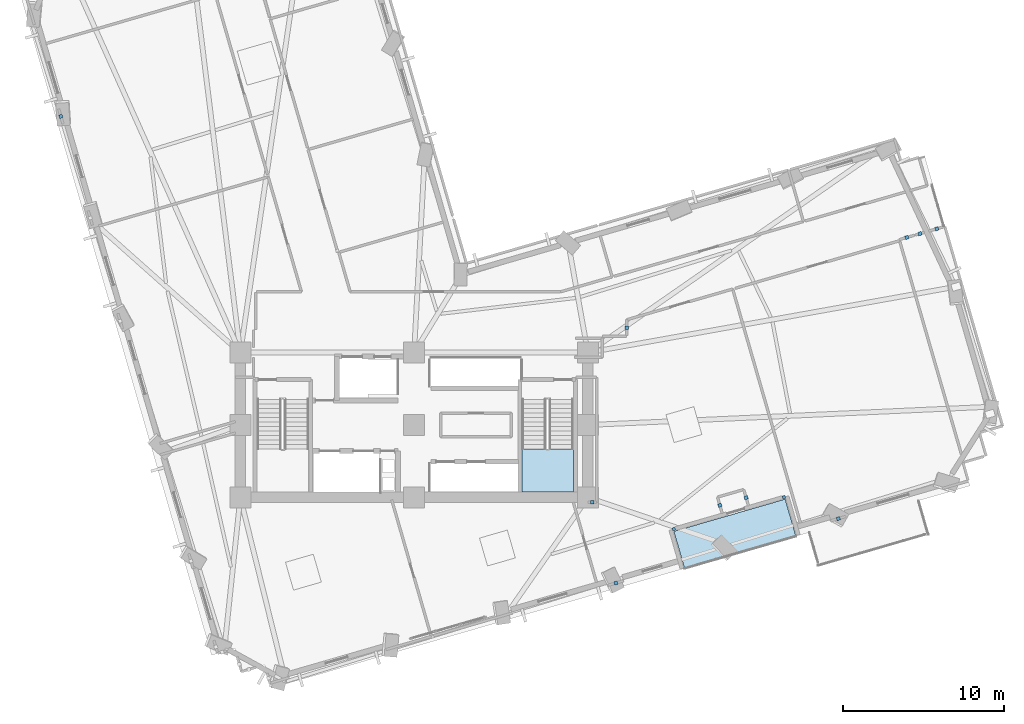
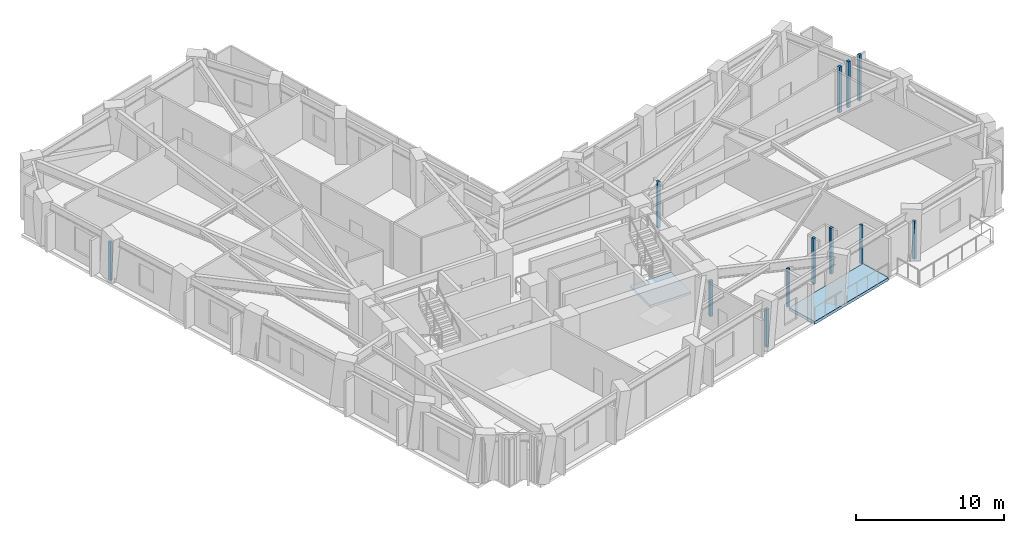
# One storey, part 6 of 15: 12 plates, 2 slabs, 1 element without a shape of its own.
"""IFC4 building model written with IfcOpenShell, lengths in metres."""

from ifc_helpers import new_model, si_unit, direction, frame, origin, origin_2d, place, context, subcontext, project, spatial, polyline, rectangle, outline, extrude, material, layer, layer_set, type_object, element, aggregate, save


model = new_model("IFC4")

# Units and contexts
model_context = context("Model", 3, precision=1e-05, world=origin(), true_north=direction((0.0, 1.0)))
body_context = subcontext(model_context, "Body", "Model", "MODEL_VIEW")
ifc_project = project(units=[si_unit("LENGTHUNIT", "METRE"), si_unit("AREAUNIT", "SQUARE_METRE"), si_unit("VOLUMEUNIT", "CUBIC_METRE"), si_unit("PLANEANGLEUNIT", "RADIAN"), si_unit("MASSUNIT", "GRAM", prefix="KILO")], contexts=[model_context])

# Site, building, storey
site_placement = place(None, origin())
site = spatial("IfcSite", under=ifc_project, at=site_placement, CompositionType="ELEMENT")
building_placement = place(site_placement, origin())
building = spatial("IfcBuilding", under=site, at=building_placement, Name="Gaonmaruhae Medical Tower", CompositionType="ELEMENT")
storey_placement = place(building_placement, frame((0.0, 0.0, 92.39990234375)))
storey = spatial("IfcBuildingStorey", under=building, at=storey_placement, Name="L21", CompositionType="ELEMENT", Elevation=92.39990234375)

# Plates
ifc_material_1 = material(Name="Anodised aluminium 6063-T6", Category="aluminium")
ifc_layer_1 = layer(ifc_material_1, 0.011962890625)
ifc_layer_set_1 = layer_set([ifc_layer_1], Name="Anodised aluminium 6063-T6")
plate_type = type_object("IfcPlateType", Name="PP-01 Interior Partition Corner Stiffener Plate", PredefinedType="SHEET", material=ifc_layer_set_1)
for number, where, z_axis, x_axis, name in (
    (1, (47.785888671875, 7.815673828125, 0.0), (0.0, 0.0, 1.0), (-0.960531930831, -0.278169750071, 0.0), "L21 Partition End Jamb Post Plate PLT-L21-ENDP-TERB-0"),
    (2, (40.947021484375, 5.835205078125, 0.0), (0.0, 0.0, 1.0), (-0.960531930831, -0.278169750071, 0.0), "L21 Partition End Jamb Post Plate PLT-L21-ENDP-TERB-1"),
):
    element("IfcPlate", number, at=place(storey_placement, frame(where, z_axis=z_axis, x_axis=x_axis)), inside=storey, type_object=plate_type, Name=name, PredefinedType="SHEET", context=body_context, shape_type="SweptSolid", body=[
        extrude(rectangle(XDim=0.179931640625, YDim=0.179931640625, at=origin_2d()), origin(), (0.0, 0.0, 1.0), 3.1650390625),
    ])
plate_1_placement = place(storey_placement, frame((37.341064453125, 2.47998046875, 0.0), z_axis=(0.0, 0.0, 1.0), x_axis=(-0.960449353926, -0.278454733383, 0.0)))
element("IfcPlate", 3, at=plate_1_placement, inside=storey, type_object=plate_type, Name="L21 Partition Corner Stiffener Plate PLT-L21-JGP-PW017", PredefinedType="SHEET", context=body_context, shape_type="SweptSolid", body=[
    extrude(rectangle(XDim=0.219970703125, YDim=0.219970703125, at=origin_2d()), origin(), (0.0, 0.0, 1.0), 3.14501953125),
])
plate_2_placement = place(storey_placement, frame((35.875, 7.5, 0.0), z_axis=(0.0, 0.0, 1.0), x_axis=(1.0, 0.0, 0.0)))
element("IfcPlate", 4, at=plate_2_placement, inside=storey, type_object=plate_type, Name="L21 Partition Corner Stiffener Plate PLT-L21-JGP-PW018", PredefinedType="SHEET", context=body_context, shape_type="SweptSolid", body=[
    extrude(rectangle(XDim=0.219970703125, YDim=0.219970703125, at=origin_2d()), origin(), (0.0, 0.0, 1.0), 2.945068359375),
])
for number, where, z_axis, x_axis, name in (
    (5, (38.030029296875, 18.348388671875, 0.0), (0.0, 0.0, 1.0), (0.0, 1.0, 0.0), "L21 Partition Corner Stiffener Plate PLT-L21-JGP-PW025"),
    (6, (45.43701171875, 7.783447265625, 0.0), (0.0, 0.0, 1.0), (-0.278722930579, 0.960371557247, 0.0), "L21 Partition Corner Stiffener Plate PLT-L21-JGP-PW028"),
    (7, (43.803955078125, 7.310546875, 0.0), (0.0, 0.0, 1.0), (0.278722930579, -0.960371557247, 0.0), "L21 Partition Corner Stiffener Plate PLT-L21-JGP-PW030"),
):
    element("IfcPlate", number, at=place(storey_placement, frame(where, z_axis=z_axis, x_axis=x_axis)), inside=storey, type_object=plate_type, Name=name, PredefinedType="SHEET", context=body_context, shape_type="SweptSolid", body=[
        extrude(rectangle(XDim=0.219970703125, YDim=0.219970703125, at=origin_2d()), origin(), (0.0, 0.0, 1.0), 3.780029296875),
    ])
plate_3_placement = place(storey_placement, frame((51.17138671875, 6.484619140625, 0.0), z_axis=(0.0, 0.0, 1.0), x_axis=(-0.960468791393, -0.278387680691, 0.0)))
element("IfcPlate", 8, at=plate_3_placement, inside=storey, type_object=plate_type, Name="L21 Partition Corner Stiffener Plate PLT-L21-JGP-PW032", PredefinedType="SHEET", context=body_context, shape_type="SweptSolid", body=[
    extrude(rectangle(XDim=0.219970703125, YDim=0.219970703125, at=origin_2d()), origin(), (0.0, 0.0, 1.0), 3.14501953125),
])
plate_4_placement = place(storey_placement, frame((2.847412109375, 31.4814453125, 0.0), z_axis=(0.0, 0.0, 1.0), x_axis=(-0.27788474227, 0.960614423176, 0.0)))
element("IfcPlate", 9, at=plate_4_placement, inside=storey, type_object=plate_type, Name="L21 Partition Corner Stiffener Plate PLT-L21-JGP-PW048", PredefinedType="SHEET", context=body_context, shape_type="SweptSolid", body=[
    extrude(rectangle(XDim=0.219970703125, YDim=0.219970703125, at=origin_2d()), origin(), (0.0, 0.0, 1.0), 3.1650390625),
])
for number, where, z_axis, x_axis, name in (
    (10, (55.425048828125, 23.95751953125, 0.0), (0.0, 0.0, 1.0), (0.960478508371, 0.278354153836, 0.0), "L21 Partition Corner Stiffener Plate PLT-L21-JGP-PW087"),
    (11, (56.236572265625, 24.193115234375, 0.0), (0.0, 0.0, 1.0), (0.960361827396, 0.278756453701, 0.0), "L21 Partition Corner Stiffener Plate PLT-L21-JGP-PW092"),
    (12, (57.2900390625, 24.498046875, 0.0), (0.0, 0.0, 1.0), (0.9605901695, 0.277968570634, 0.0), "L21 Partition Corner Stiffener Plate PLT-L21-JGP-PW093"),
):
    element("IfcPlate", number, at=place(storey_placement, frame(where, z_axis=z_axis, x_axis=x_axis)), inside=storey, type_object=plate_type, Name=name, PredefinedType="SHEET", context=body_context, shape_type="SweptSolid", body=[
        extrude(rectangle(XDim=0.219970703125, YDim=0.219970703125, at=origin_2d()), origin(), (0.0, 0.0, 1.0), 3.780029296875),
    ])

# Stair, slab
ifc_material_2 = material(Name="Concrete C40/50", Category="concrete")
stair_type = type_object("IfcStairType", Name="ST-T1 Primary Core Escape Dogleg Stair", PredefinedType="TWO_QUARTER_TURN_STAIR", material=ifc_material_2)
stair_placement = place(storey_placement, origin())
stair = element("IfcStair", 13, at=stair_placement, inside=storey, type_object=stair_type, Name="L21 Protected Escape Stair ST-02", PredefinedType="TWO_QUARTER_TURN_STAIR")
ifc_layer_2 = layer(ifc_material_2, 0.199951171875)
ifc_layer_set_2 = layer_set([ifc_layer_2], Name="Concrete C40/50")
slab_type_1 = type_object("IfcSlabType", Name="SL-200 Stair & Ramp Intermediate Concrete Landing", PredefinedType="LANDING", material=ifc_layer_set_2)
slab_1_placement = place(storey_placement, frame((0.0, 0.0, 1.800048828125)))
slab_1 = element("IfcSlab", 14, at=slab_1_placement, type_object=slab_type_1, Name="ST-02 landing 1", PredefinedType="LANDING", context=body_context, shape_type="SweptSolid", body=[
    extrude(outline(polyline([(31.5, 10.820068359375), (31.5, 8.12890625), (34.699951171875, 8.12890625), (34.699951171875, 10.820068359375), (31.5, 10.820068359375)])), origin(), (0.0, 0.0, 1.0), 0.199951171875),
])
aggregate(stair, [slab_1])

# Slab
ifc_layer_3 = layer(ifc_material_2, 0.239990234375)
ifc_layer_set_3 = layer_set([ifc_layer_3], Name="Concrete C40/50")
slab_type_2 = type_object("IfcSlabType", Name="TS-240 Sky Garden & Recovery Terrace Slab", PredefinedType="FLOOR", material=ifc_layer_set_3)
slab_2_placement = place(storey_placement, frame((0.0, 0.0, -0.239990234375)))
element("IfcSlab", 15, at=slab_2_placement, inside=storey, type_object=slab_type_2, Name="L21 Outdoor Recovery Terrace Slab", PredefinedType="FLOOR", context=body_context, shape_type="SweptSolid", body=[
    extrude(outline(polyline([(41.615234375, 3.38427734375), (48.531005859375, 5.386962890625), (47.863525390625, 7.6923828125), (40.947509765625, 5.689697265625), (41.615234375, 3.38427734375)])), origin(), (0.0, 0.0, 1.0), 0.239990234375),
])

save(model, "model.ifc")
